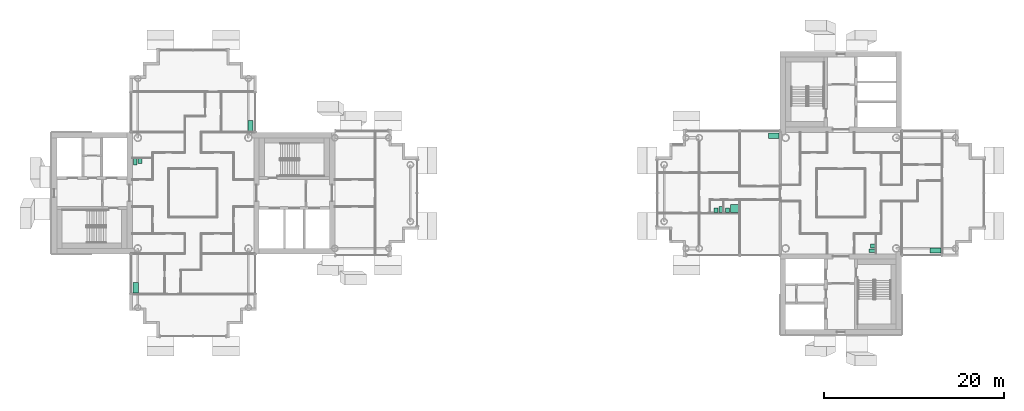
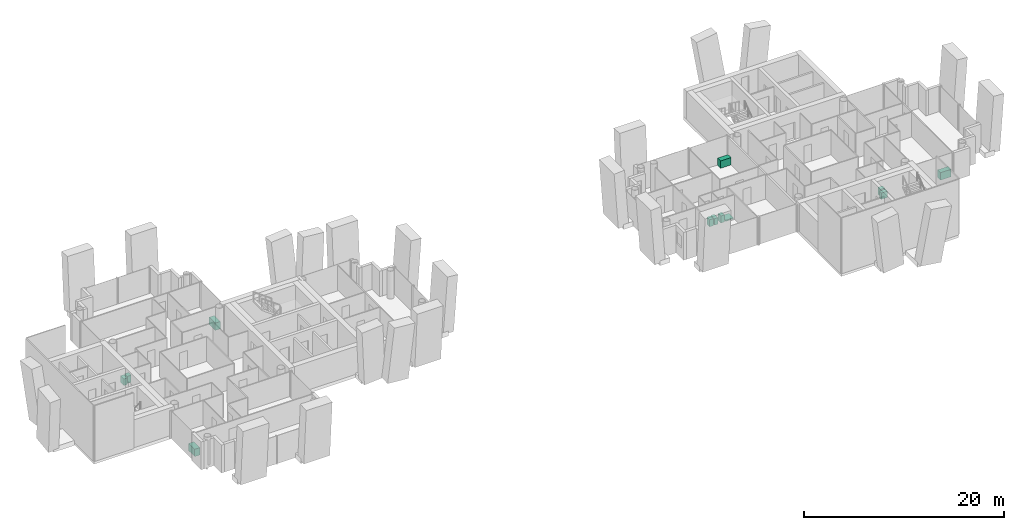
# One storey, part 18 of 18: 12 sanitary terminals.
"""IFC4 building model written with IfcOpenShell, lengths in metres."""

from ifc_helpers import new_model, si_unit, direction, frame, origin, origin_2d, place, context, subcontext, project, spatial, rectangle, extrude, material, type_object, element, save


model = new_model("IFC4")

# Units and contexts
model_context = context("Model", 3, precision=1e-05, world=origin(), true_north=direction((0.0, 1.0)))
body_context = subcontext(model_context, "Body", "Model", "MODEL_VIEW")
ifc_project = project(units=[si_unit("LENGTHUNIT", "METRE"), si_unit("AREAUNIT", "SQUARE_METRE"), si_unit("VOLUMEUNIT", "CUBIC_METRE"), si_unit("PLANEANGLEUNIT", "RADIAN"), si_unit("MASSUNIT", "GRAM", prefix="KILO")], contexts=[model_context])

# Site, building, storey
site_placement = place(None, origin())
site = spatial("IfcSite", under=ifc_project, at=site_placement, CompositionType="ELEMENT")
building_placement = place(site_placement, origin())
building = spatial("IfcBuilding", under=site, at=building_placement, Name="Ipe Terrace Towers", CompositionType="ELEMENT")
storey_placement = place(building_placement, frame((0.0, 0.0, 216.39990234375)))
storey = spatial("IfcBuildingStorey", under=building, at=storey_placement, Name="L60", CompositionType="ELEMENT", Elevation=216.39990234375)

# Sanitary terminals
ifc_material_1 = material(Name="Stainless sink unit", Category="metal")
sanitary_terminal_type_1 = type_object("IfcSanitaryTerminalType", Name="Kitchen sink unit", PredefinedType="SINK", material=ifc_material_1)
for number, where, z_axis, x_axis, name in (
    (1, (-29.6201171875, 7.469970703125, 0.000244140625), (0.0, 0.0, 1.0), (0.0, -1.0, 0.0), "Kitchen sink unit"),
    (2, (-42.3798828125, -10.530029296875, 0.000244140625), (0.0, 0.0, 1.0), (0.0, 1.0, 0.0), "Kitchen sink unit"),
    (3, (28.530029296875, 6.3798828125, 0.000244140625), (0.0, 0.0, 1.0), (1.0, 0.0, 0.0), "Kitchen sink unit"),
    (4, (46.530029296875, -6.3798828125, 0.000244140625), (0.0, 0.0, 1.0), (-1.0, 0.0, 0.0), "Kitchen sink unit"),
):
    element("IfcSanitaryTerminal", number, at=place(storey_placement, frame(where, z_axis=z_axis, x_axis=x_axis)), inside=storey, type_object=sanitary_terminal_type_1, Name=name, PredefinedType="SINK", context=body_context, shape_type="SweptSolid", body=[
        extrude(rectangle(XDim=1.199951171875, YDim=0.60009765625, at=origin_2d()), origin(), (0.0, 0.0, 1.0), 0.89990234375),
    ])
ifc_material_2 = material(Name="Acrylic", Category="plastic")
sanitary_terminal_type_2 = type_object("IfcSanitaryTerminalType", Name="Shower tray", PredefinedType="SHOWER", material=ifc_material_2)
sanitary_terminal_placement = place(storey_placement, frame((24.179931640625, -1.72998046875, 0.000244140625), z_axis=(0.0, 0.0, 1.0), x_axis=(0.0, 1.0, 0.0)))
element("IfcSanitaryTerminal", 5, at=sanitary_terminal_placement, inside=storey, type_object=sanitary_terminal_type_2, Name="Shower tray", PredefinedType="SHOWER", context=body_context, shape_type="SweptSolid", body=[
    extrude(rectangle(XDim=0.89990234375, YDim=0.89990234375, at=origin_2d()), origin(), (0.0, 0.0, 1.0), 0.14990234375),
])
ifc_material_3 = material(Name="Vitreous china", Category="ceramic")
sanitary_terminal_type_3 = type_object("IfcSanitaryTerminalType", Name="Wash basin", PredefinedType="WASHHANDBASIN", material=ifc_material_3)
for number, where, z_axis, x_axis, name in (
    (6, (-41.905029296875, 3.554931640625, 0.0), (0.0, 0.0, 1.0), (0.0, -1.0, 0.0), "Wash basin"),
    (7, (39.554931640625, -5.905029296875, 0.0), (0.0, 0.0, 1.0), (-1.0, 0.0, 0.0), "Wash basin"),
    (8, (23.405029296875, -1.905029296875, 0.0), (0.0, 0.0, 1.0), (0.0, 1.0, 0.0), "Wash basin"),
    (9, (22.10498046875, -1.905029296875, 0.0), (0.0, 0.0, 1.0), (0.0, 1.0, 0.0), "Wash basin"),
):
    element("IfcSanitaryTerminal", number, at=place(storey_placement, frame(where, z_axis=z_axis, x_axis=x_axis)), inside=storey, type_object=sanitary_terminal_type_3, Name=name, PredefinedType="WASHHANDBASIN", context=body_context, shape_type="SweptSolid", body=[
        extrude(rectangle(XDim=0.550048828125, YDim=0.449951171875, at=origin_2d()), origin(), (0.0, 0.0, 1.0), 0.85009765625),
    ])
ifc_material_4 = material(Name="Vitreous china", Category="ceramic")
sanitary_terminal_type_4 = type_object("IfcSanitaryTerminalType", Name="Water closet", PredefinedType="TOILETPAN", material=ifc_material_4)
for number, where, z_axis, x_axis, name in (
    (10, (-42.429931640625, 3.47998046875, 0.0), (0.0, 0.0, 1.0), (0.0, -1.0, 0.0), "Water closet"),
    (11, (39.47998046875, -6.429931640625, 0.0), (0.0, 0.0, 1.0), (-1.0, 0.0, 0.0), "Water closet"),
    (12, (22.6298828125, -1.830078125, 0.0), (0.0, 0.0, 1.0), (0.0, 1.0, 0.0), "Water closet"),
):
    element("IfcSanitaryTerminal", number, at=place(storey_placement, frame(where, z_axis=z_axis, x_axis=x_axis)), inside=storey, type_object=sanitary_terminal_type_4, Name=name, PredefinedType="TOILETPAN", context=body_context, shape_type="SweptSolid", body=[
        extrude(rectangle(XDim=0.699951171875, YDim=0.39990234375, at=origin_2d()), origin(), (0.0, 0.0, 1.0), 0.780029296875),
    ])

save(model, "model.ifc")
